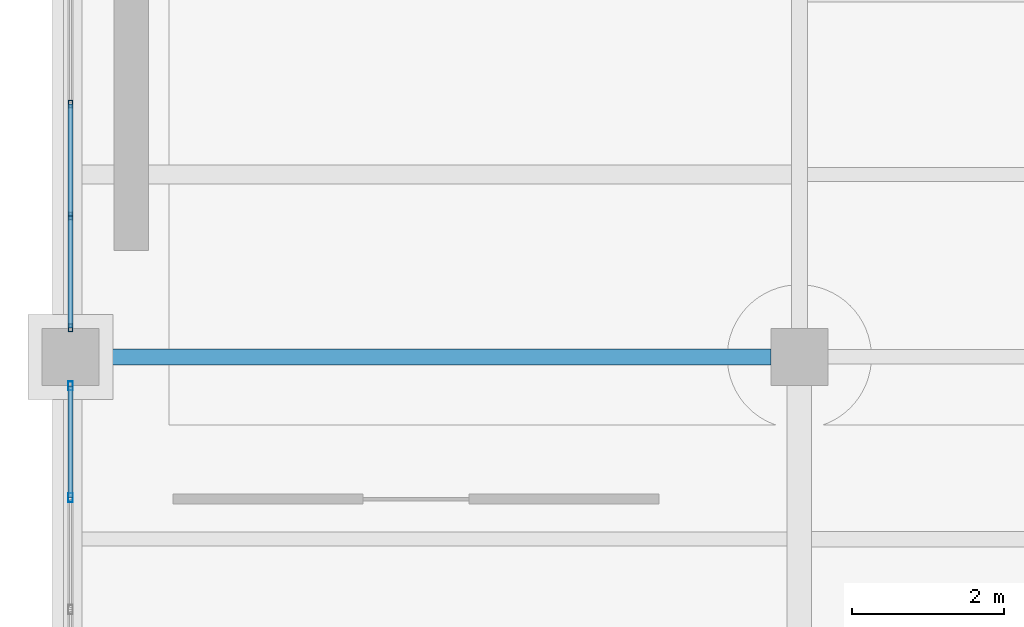
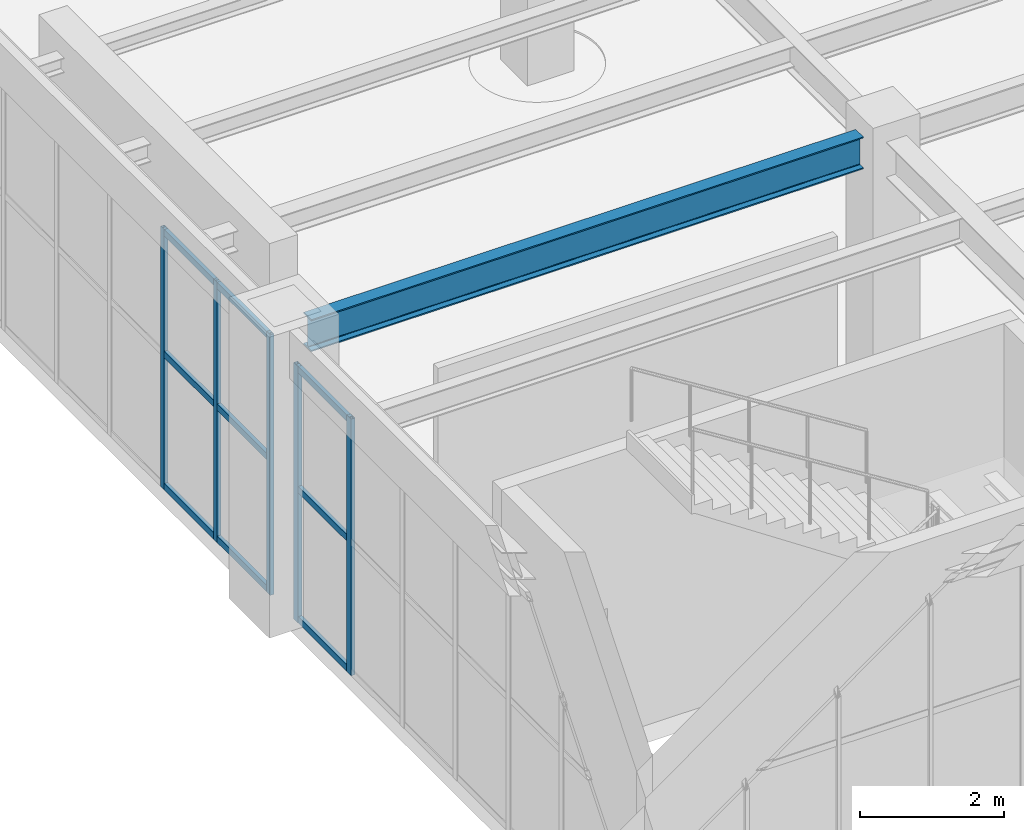
# One storey, part 8 of 174: 14 members, 1 beam, 2 elements without a shape of their own.
"""IFC4 building model written with IfcOpenShell, lengths in metres."""

from ifc_helpers import new_model, si_unit, direction, frame, origin, origin_2d, place, context, subcontext, project, spatial, hollow_rectangle, i_section, extrude, material, material_profile, profile_set, type_object, element, aggregate, save


model = new_model("IFC4")

# Units and contexts
model_context = context("Model", 3, precision=1e-05, world=origin(), true_north=direction((0.0, 1.0)))
body_context = subcontext(model_context, "Body", "Model", "MODEL_VIEW")
ifc_project = project(units=[si_unit("LENGTHUNIT", "METRE"), si_unit("AREAUNIT", "SQUARE_METRE"), si_unit("VOLUMEUNIT", "CUBIC_METRE"), si_unit("PLANEANGLEUNIT", "RADIAN"), si_unit("MASSUNIT", "GRAM", prefix="KILO")], contexts=[model_context])

# Site, building, storey
site_placement = place(None, origin())
site = spatial("IfcSite", under=ifc_project, at=site_placement, CompositionType="ELEMENT")
building_placement = place(site_placement, origin())
building = spatial("IfcBuilding", under=site, at=building_placement, Name="Mavantir Sound Aquarium", CompositionType="ELEMENT")
storey_placement = place(building_placement, frame((0.0, 0.0, 5.39990234375)))
storey = spatial("IfcBuildingStorey", under=building, at=storey_placement, Name="L01", CompositionType="ELEMENT", Elevation=5.39990234375)

# Beam
ifc_material_1 = material(Name="Structural Steel ASTM A992 Gr50", Category="steel")
ifc_material_profile_1 = material_profile(ifc_material_1, i_section(OverallWidth=0.2119140625, OverallDepth=0.5439453125, WebThickness=0.01318359375, FlangeThickness=0.021240234375, FilletRadius=0.01806640625, at=origin_2d()), Name="W530X123")
ifc_profile_set_1 = profile_set([ifc_material_profile_1], Name="Structural Steel ASTM A992 Gr50")
beam_type = type_object("IfcBeamType", Name="BM-W530X123-I", PredefinedType="BEAM", material=ifc_profile_set_1)
beam_placement = place(storey_placement, frame((0.375, 9.60009765625, 4.524169921875), z_axis=(1.0, 0.0, 0.0), x_axis=(0.0, 1.0, 0.0)))
element("IfcBeam", 1, at=beam_placement, inside=storey, type_object=beam_type, Name="L01 primary beam SB-53 1210", PredefinedType="BEAM", context=body_context, shape_type="SweptSolid", body=[
    extrude(i_section(OverallWidth=0.2119140625, OverallDepth=0.5439453125, WebThickness=0.01318359375, FlangeThickness=0.021240234375, FilletRadius=0.01806640625, at=origin_2d()), origin(), (0.0, 0.0, 1.0), 8.85009765625),
])

# Curtain wall, members
ifc_material_2 = material(Name="Anodised Marine Aluminium and Low-E Glass", Category="aluminium")
curtain_wall_type_1 = type_object("IfcCurtainWallType", Name="CW-T03", PredefinedType="USERDEFINED", material=ifc_material_2)
curtain_wall_1_placement = place(storey_placement, origin())
curtain_wall_1 = element("IfcCurtainWall", 2, at=curtain_wall_1_placement, inside=storey, type_object=curtain_wall_type_1, Name="L01 unitised curtain wall CW-03 75", ObjectType="UNITISED GLAZING", PredefinedType="USERDEFINED")
ifc_material_3 = material(Name="Anodised Marine Aluminium 6063-T6", Category="aluminium")
ifc_material_profile_2 = material_profile(ifc_material_3, hollow_rectangle(XDim=0.06005859375, YDim=0.10009765625, WallThickness=0.00390625, at=origin_2d()), Name="ALU-MULLION-100X60")
ifc_profile_set_2 = profile_set([ifc_material_profile_2], Name="Anodised Marine Aluminium 6063-T6")
member_type_1 = type_object("IfcMemberType", Name="CW-MUL-100", PredefinedType="MULLION", material=ifc_profile_set_2)
member_1_placement = place(storey_placement, frame((0.0, 12.927734375, 0.0), z_axis=(0.0, 0.0, 1.0), x_axis=(1.0, 0.0, 0.0)))
member_1 = element("IfcMember", 3, at=member_1_placement, type_object=member_type_1, Name="CW-L01-075 vertical mullion 5", PredefinedType="MULLION", context=body_context, shape_type="SweptSolid", body=[
    extrude(hollow_rectangle(XDim=0.06005859375, YDim=0.10009765625, WallThickness=0.00390625, at=origin_2d()), origin(), (0.0, 0.0, 1.0), 4.4130859375),
])
member_2_placement = place(storey_placement, frame((0.0, 11.455322265625, 0.0), z_axis=(0.0, 0.0, 1.0), x_axis=(1.0, 0.0, 0.0)))
member_2 = element("IfcMember", 4, at=member_2_placement, type_object=member_type_1, Name="CW-L01-075 vertical mullion 6", PredefinedType="MULLION", context=body_context, shape_type="SweptSolid", body=[
    extrude(hollow_rectangle(XDim=0.06005859375, YDim=0.10009765625, WallThickness=0.00390625, at=origin_2d()), origin(), (0.0, 0.0, 1.0), 4.4130859375),
])
member_3_placement = place(storey_placement, frame((0.0, 9.98291015625, 0.0), z_axis=(0.0, 0.0, 1.0), x_axis=(1.0, 0.0, 0.0)))
member_3 = element("IfcMember", 5, at=member_3_placement, type_object=member_type_1, Name="CW-L01-075 vertical mullion 7", PredefinedType="MULLION", context=body_context, shape_type="SweptSolid", body=[
    extrude(hollow_rectangle(XDim=0.06005859375, YDim=0.10009765625, WallThickness=0.00390625, at=origin_2d()), origin(), (0.0, 0.0, 1.0), 4.4130859375),
])

curtain_wall_type_2 = type_object("IfcCurtainWallType", Name="CW-T04", PredefinedType="USERDEFINED", material=ifc_material_2)
curtain_wall_2_placement = place(storey_placement, origin())
curtain_wall_2 = element("IfcCurtainWall", 6, at=curtain_wall_2_placement, inside=storey, type_object=curtain_wall_type_2, Name="L01 unitised curtain wall CW-04 76", ObjectType="UNITISED GLAZING", PredefinedType="USERDEFINED")
ifc_material_profile_3 = material_profile(ifc_material_3, hollow_rectangle(XDim=0.06494140625, YDim=0.1201171875, WallThickness=0.00390625, at=origin_2d()), Name="ALU-MULLION-120X65")
ifc_profile_set_3 = profile_set([ifc_material_profile_3], Name="Anodised Marine Aluminium 6063-T6")
member_type_2 = type_object("IfcMemberType", Name="CW-MUL-120", PredefinedType="MULLION", material=ifc_profile_set_3)
member_4_placement = place(storey_placement, frame((0.0, 9.217041015625, 0.0), z_axis=(0.0, 0.0, 1.0), x_axis=(1.0, 0.0, 0.0)))
member_4 = element("IfcMember", 7, at=member_4_placement, type_object=member_type_2, Name="CW-L01-076 vertical mullion 1", PredefinedType="MULLION", context=body_context, shape_type="SweptSolid", body=[
    extrude(hollow_rectangle(XDim=0.06494140625, YDim=0.1201171875, WallThickness=0.00390625, at=origin_2d()), origin(), (0.0, 0.0, 1.0), 4.34912109375),
])
member_5_placement = place(storey_placement, frame((0.0, 7.74462890625, 0.0), z_axis=(0.0, 0.0, 1.0), x_axis=(1.0, 0.0, 0.0)))
member_5 = element("IfcMember", 8, at=member_5_placement, type_object=member_type_2, Name="CW-L01-076 vertical mullion 2", PredefinedType="MULLION", context=body_context, shape_type="SweptSolid", body=[
    extrude(hollow_rectangle(XDim=0.06494140625, YDim=0.1201171875, WallThickness=0.00390625, at=origin_2d()), origin(), (0.0, 0.0, 1.0), 4.34912109375),
])

# Member
ifc_material_profile_4 = material_profile(ifc_material_3, hollow_rectangle(XDim=0.06005859375, YDim=0.110107421875, WallThickness=0.00390625, at=origin_2d()), Name="ALU-TRANSOM-110X60")
ifc_profile_set_4 = profile_set([ifc_material_profile_4], Name="Anodised Marine Aluminium 6063-T6")
member_type_3 = type_object("IfcMemberType", Name="CW-TRN-110", PredefinedType="USERDEFINED", material=ifc_profile_set_4)
member_6_placement = place(storey_placement, frame((0.0, 12.927734375, 0.05517578125), z_axis=(0.0, -1.0, 0.0), x_axis=(1.0, 0.0, 0.0)))
member_6 = element("IfcMember", 9, at=member_6_placement, type_object=member_type_3, Name="CW-L01-075 transom 5.1", ObjectType="TRANSOM", PredefinedType="USERDEFINED", context=body_context, shape_type="SweptSolid", body=[
    extrude(hollow_rectangle(XDim=0.06005859375, YDim=0.110107421875, WallThickness=0.00390625, at=origin_2d()), origin(), (0.0, 0.0, 1.0), 1.472412109375),
])

member_7_placement = place(storey_placement, frame((0.0, 12.927734375, 2.294921875), z_axis=(0.0, -1.0, 0.0), x_axis=(1.0, 0.0, 0.0)))
member_7 = element("IfcMember", 10, at=member_7_placement, type_object=member_type_3, Name="CW-L01-075 transom 5.2", ObjectType="TRANSOM", PredefinedType="USERDEFINED", context=body_context, shape_type="SweptSolid", body=[
    extrude(hollow_rectangle(XDim=0.06005859375, YDim=0.110107421875, WallThickness=0.00390625, at=origin_2d()), origin(), (0.0, 0.0, 1.0), 1.472412109375),
])

member_8_placement = place(storey_placement, frame((0.0, 12.927734375, 4.358154296875), z_axis=(0.0, -1.0, 0.0), x_axis=(1.0, 0.0, 0.0)))
member_8 = element("IfcMember", 11, at=member_8_placement, type_object=member_type_3, Name="CW-L01-075 transom 5.3", ObjectType="TRANSOM", PredefinedType="USERDEFINED", context=body_context, shape_type="SweptSolid", body=[
    extrude(hollow_rectangle(XDim=0.06005859375, YDim=0.110107421875, WallThickness=0.00390625, at=origin_2d()), origin(), (0.0, 0.0, 1.0), 1.472412109375),
])

member_9_placement = place(storey_placement, frame((0.0, 11.455322265625, 0.05517578125), z_axis=(0.0, -1.0, 0.0), x_axis=(1.0, 0.0, 0.0)))
member_9 = element("IfcMember", 12, at=member_9_placement, type_object=member_type_3, Name="CW-L01-075 transom 6.1", ObjectType="TRANSOM", PredefinedType="USERDEFINED", context=body_context, shape_type="SweptSolid", body=[
    extrude(hollow_rectangle(XDim=0.06005859375, YDim=0.110107421875, WallThickness=0.00390625, at=origin_2d()), origin(), (0.0, 0.0, 1.0), 1.472412109375),
])

member_10_placement = place(storey_placement, frame((0.0, 11.455322265625, 2.294921875), z_axis=(0.0, -1.0, 0.0), x_axis=(1.0, 0.0, 0.0)))
member_10 = element("IfcMember", 13, at=member_10_placement, type_object=member_type_3, Name="CW-L01-075 transom 6.2", ObjectType="TRANSOM", PredefinedType="USERDEFINED", context=body_context, shape_type="SweptSolid", body=[
    extrude(hollow_rectangle(XDim=0.06005859375, YDim=0.110107421875, WallThickness=0.00390625, at=origin_2d()), origin(), (0.0, 0.0, 1.0), 1.472412109375),
])

member_11_placement = place(storey_placement, frame((0.0, 11.455322265625, 4.358154296875), z_axis=(0.0, -1.0, 0.0), x_axis=(1.0, 0.0, 0.0)))
member_11 = element("IfcMember", 14, at=member_11_placement, type_object=member_type_3, Name="CW-L01-075 transom 6.3", ObjectType="TRANSOM", PredefinedType="USERDEFINED", context=body_context, shape_type="SweptSolid", body=[
    extrude(hollow_rectangle(XDim=0.06005859375, YDim=0.110107421875, WallThickness=0.00390625, at=origin_2d()), origin(), (0.0, 0.0, 1.0), 1.472412109375),
])

aggregate(curtain_wall_1, [member_1, member_2, member_3, member_6, member_7, member_8, member_9, member_10, member_11])

member_12_placement = place(storey_placement, frame((0.0, 9.217041015625, 0.05517578125), z_axis=(0.0, -1.0, 0.0), x_axis=(1.0, 0.0, 0.0)))
member_12 = element("IfcMember", 15, at=member_12_placement, type_object=member_type_3, Name="CW-L01-076 transom 1.1", ObjectType="TRANSOM", PredefinedType="USERDEFINED", context=body_context, shape_type="SweptSolid", body=[
    extrude(hollow_rectangle(XDim=0.06005859375, YDim=0.110107421875, WallThickness=0.00390625, at=origin_2d()), origin(), (0.0, 0.0, 1.0), 1.472412109375),
])

member_13_placement = place(storey_placement, frame((0.0, 9.217041015625, 2.26171875), z_axis=(0.0, -1.0, 0.0), x_axis=(1.0, 0.0, 0.0)))
member_13 = element("IfcMember", 16, at=member_13_placement, type_object=member_type_3, Name="CW-L01-076 transom 1.2", ObjectType="TRANSOM", PredefinedType="USERDEFINED", context=body_context, shape_type="SweptSolid", body=[
    extrude(hollow_rectangle(XDim=0.06005859375, YDim=0.110107421875, WallThickness=0.00390625, at=origin_2d()), origin(), (0.0, 0.0, 1.0), 1.472412109375),
])

member_14_placement = place(storey_placement, frame((0.0, 9.217041015625, 4.294189453125), z_axis=(0.0, -1.0, 0.0), x_axis=(1.0, 0.0, 0.0)))
member_14 = element("IfcMember", 17, at=member_14_placement, type_object=member_type_3, Name="CW-L01-076 transom 1.3", ObjectType="TRANSOM", PredefinedType="USERDEFINED", context=body_context, shape_type="SweptSolid", body=[
    extrude(hollow_rectangle(XDim=0.06005859375, YDim=0.110107421875, WallThickness=0.00390625, at=origin_2d()), origin(), (0.0, 0.0, 1.0), 1.472412109375),
])

aggregate(curtain_wall_2, [member_4, member_5, member_12, member_13, member_14])

save(model, "model.ifc")
